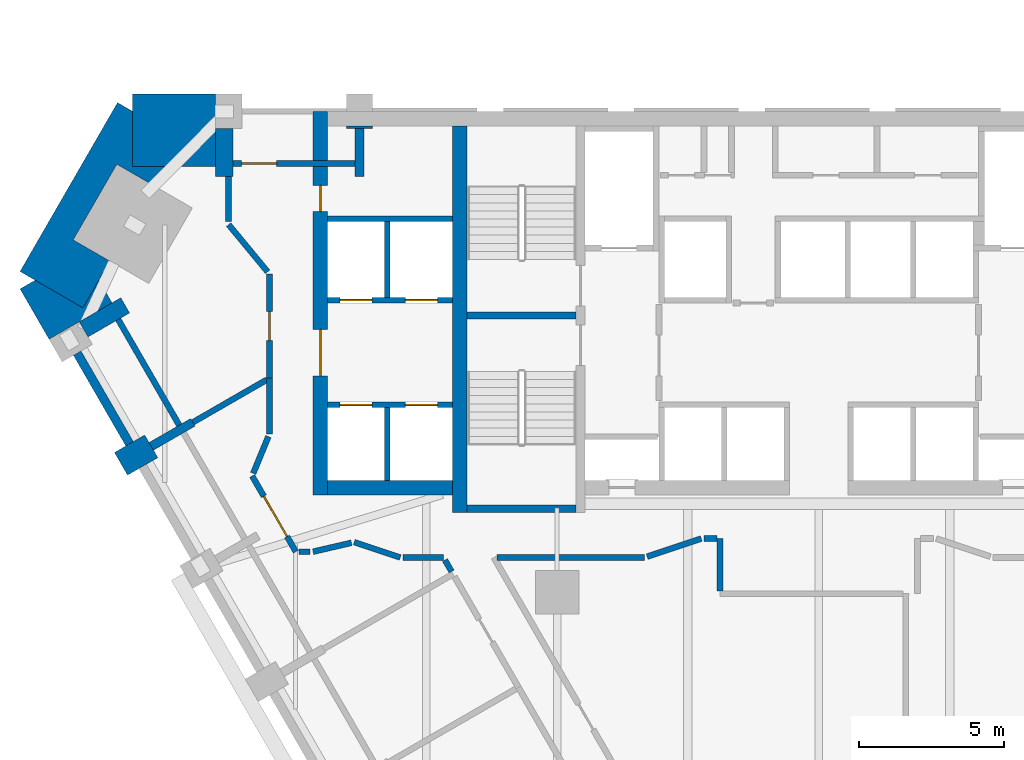
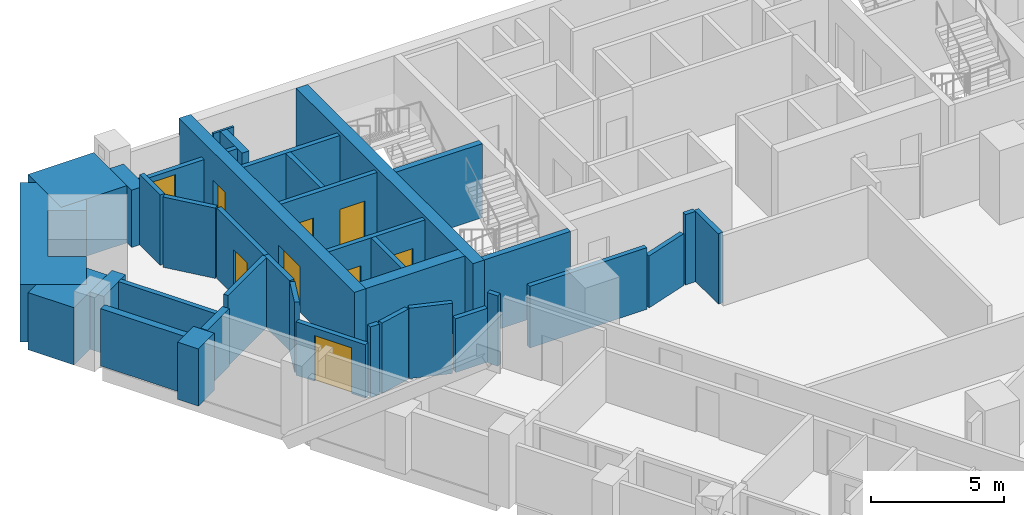
# One storey, part 6 of 11: 38 walls, 9 doors, 9 openings.
"""IFC4 building model written with IfcOpenShell, lengths in metres."""

from ifc_helpers import new_model, si_unit, direction, frame, frame_2d, origin, place, context, subcontext, project, spatial, polyline, rectangle, outline, extrude, material, layer, layer_set, type_object, element, fill, save


model = new_model("IFC4")

# Units and contexts
model_context = context("Model", 3, precision=1e-05, world=origin(), true_north=direction((0.0, 1.0)))
body_context = subcontext(model_context, "Body", "Model", "MODEL_VIEW")
ifc_project = project(units=[si_unit("LENGTHUNIT", "METRE"), si_unit("AREAUNIT", "SQUARE_METRE"), si_unit("VOLUMEUNIT", "CUBIC_METRE"), si_unit("PLANEANGLEUNIT", "RADIAN"), si_unit("MASSUNIT", "GRAM", prefix="KILO")], contexts=[model_context])

# Site, building, storey
site_placement = place(None, origin())
site = spatial("IfcSite", under=ifc_project, at=site_placement, CompositionType="ELEMENT")
building_placement = place(site_placement, origin())
building = spatial("IfcBuilding", under=site, at=building_placement, Name="Calabash Gate Tower", CompositionType="ELEMENT")
storey_placement = place(building_placement, frame((0.0, 0.0, 98.60009765625)))
storey = spatial("IfcBuildingStorey", under=building, at=storey_placement, Name="L21", CompositionType="ELEMENT", Elevation=98.60009765625)

# Walls
ifc_material_1 = material(Name="Terracotta brick masonry, exposed face", Category="masonry")
ifc_layer_1 = layer(ifc_material_1, 2.5)
ifc_layer_set_1 = layer_set([ifc_layer_1], Name="Brick corner mass wall 2500")
wall_type_1 = type_object("IfcWallType", Name="Brick corner mass wall 2500", PredefinedType="SOLIDWALL", material=ifc_layer_set_1)
wall_1_placement = place(storey_placement, origin())
element("IfcWall", 1, at=wall_1_placement, inside=storey, type_object=wall_type_1, Name="Brick corner pier S05 3a", PredefinedType="SOLIDWALL", context=body_context, shape_type="SweptSolid", body=[
    extrude(outline(polyline([(-23.610107421875, 17.152587890625), (-20.755126953125, 17.152587890625), (-20.755126953125, 19.652587890625), (-23.610107421875, 19.652587890625), (-23.610107421875, 17.152587890625)])), origin(), (0.0, 0.0, 1.0), 2.6298828125),
])
wall_2_placement = place(storey_placement, origin())
element("IfcWall", 2, at=wall_2_placement, inside=storey, type_object=wall_type_1, Name="Brick corner pier S05 3b", PredefinedType="SOLIDWALL", context=body_context, shape_type="SweptSolid", body=[
    extrude(outline(polyline([(-22.89111328125, 16.498046875), (-22.51318359375, 17.152587890625), (-23.610107421875, 17.152587890625), (-23.610107421875, 19.052490234375), (-24.1298828125, 19.3525390625), (-27.485107421875, 13.540771484375), (-25.320068359375, 12.290771484375), (-24.39111328125, 13.89990234375), (-25.652099609375, 14.6279296875), (-24.152099609375, 17.22607421875), (-22.89111328125, 16.498046875)])), origin(), (0.0, 0.0, 1.0), 2.6298828125),
])
wall_3_placement = place(storey_placement, origin())
element("IfcWall", 3, at=wall_3_placement, inside=storey, type_object=wall_type_1, Name="Brick corner pier S05 3c", PredefinedType="SOLIDWALL", context=body_context, shape_type="SweptSolid", body=[
    extrude(outline(polyline([(-24.771728515625, 13.240966796875), (-25.320068359375, 12.290771484375), (-26.965576171875, 13.240966796875), (-27.485107421875, 12.94091796875), (-26.4853515625, 11.208984375), (-24.3203125, 12.458984375), (-24.771728515625, 13.240966796875)])), origin(), (0.0, 0.0, 1.0), 2.6298828125),
])
ifc_material_2 = material(Name="Terracotta brick masonry, exposed face", Category="masonry")
ifc_layer_2 = layer(ifc_material_2, 1.199951171875)
ifc_layer_set_2 = layer_set([ifc_layer_2], Name="Brick end wall 1200")
wall_type_2 = type_object("IfcWallType", Name="Brick end wall 1200", PredefinedType="SOLIDWALL", material=ifc_layer_set_2)
wall_4_placement = place(storey_placement, frame((-24.01025390625, 6.922119140625, 0.0), z_axis=(0.0, 0.0, 1.0), x_axis=(0.865955154139, 0.50012165622, 0.0)))
element("IfcWall", 4, at=wall_4_placement, inside=storey, type_object=wall_type_2, Name="Brick pier S05 SW0.1", PredefinedType="SOLIDWALL", context=body_context, shape_type="SweptSolid", body=[
    extrude(rectangle(XDim=1.199951171875, YDim=0.89990234375, at=frame_2d((0.60009765625, 0.0))), origin(), (0.0, 0.0, 1.0), 2.6298828125),
])
wall_5_placement = place(storey_placement, origin())
element("IfcWall", 5, at=wall_5_placement, inside=storey, type_object=wall_type_2, Name="Brick pier S05 N6.7b", PredefinedType="SOLIDWALL", context=body_context, shape_type="SweptSolid", body=[
    extrude(outline(polyline([(-15.35498046875, 18.45263671875), (-15.35498046875, 18.552490234375), (-16.255126953125, 18.552490234375), (-16.255126953125, 18.45263671875), (-15.35498046875, 18.45263671875)])), origin(), (0.0, 0.0, 1.0), 2.64990234375),
])
ifc_material_3 = material(Name="Terracotta brick masonry, exposed face", Category="masonry")
ifc_layer_3 = layer(ifc_material_3, 0.300048828125)
ifc_layer_set_3 = layer_set([ifc_layer_3], Name="Brick infill panel wall 300")
wall_type_3 = type_object("IfcWallType", Name="Brick infill panel wall 300", PredefinedType="SOLIDWALL", material=ifc_layer_set_3)
wall_6_placement = place(storey_placement, frame((-25.515625, 10.729736328125, 0.0), z_axis=(0.0, 0.0, 1.0), x_axis=(0.499961193289, -0.866047807691, 0.0)))
element("IfcWall", 6, at=wall_6_placement, inside=storey, type_object=wall_type_3, Name="Brick panel S05 SW0.1", PredefinedType="SOLIDWALL", context=body_context, shape_type="SweptSolid", body=[
    extrude(rectangle(XDim=3.599853515625, YDim=0.300048828125, at=frame_2d((1.7998046875, 0.0))), origin(), (0.0, 0.0, 1.0), 2.6298828125),
])
ifc_material_4 = material(Name="Terracotta brick masonry, exposed face", Category="masonry")
ifc_layer_4 = layer(ifc_material_4, 0.300048828125)
ifc_layer_set_4 = layer_set([ifc_layer_4], Name="Brick loggia cheek wall 300")
wall_type_4 = type_object("IfcWallType", Name="Brick loggia cheek wall 300", PredefinedType="SOLIDWALL", material=ifc_layer_set_4)
wall_7_placement = place(storey_placement, frame((-25.296142578125, 11.54931640625, 0.0), z_axis=(0.0, 0.0, 1.0), x_axis=(0.866040211805, 0.499974350878, 0.0)))
element("IfcWall", 7, at=wall_7_placement, inside=storey, type_object=wall_type_4, Name="Loggia cheek S05 SW0.0", PredefinedType="SOLIDWALL", context=body_context, shape_type="SweptSolid", body=[
    extrude(rectangle(XDim=1.64990234375, YDim=0.60009765625, at=frame_2d((0.824951171875, 0.0))), origin(), (0.0, 0.0, 1.0), 2.6298828125),
])
wall_8_placement = place(storey_placement, frame((-22.97119140625, 7.522216796875, 0.0), z_axis=(0.0, 0.0, 1.0), x_axis=(0.866040211805, 0.499974350878, 0.0)))
element("IfcWall", 8, at=wall_8_placement, inside=storey, type_object=wall_type_4, Name="Loggia cheek S05 SW0.1", PredefinedType="SOLIDWALL", context=body_context, shape_type="SweptSolid", body=[
    extrude(rectangle(XDim=1.64990234375, YDim=0.300048828125, at=frame_2d((0.824951171875, 0.0))), origin(), (0.0, 0.0, 1.0), 2.64990234375),
])
wall_9_placement = place(storey_placement, origin())
element("IfcWall", 9, at=wall_9_placement, inside=storey, type_object=wall_type_4, Name="Loggia cheek S05 N6.7", PredefinedType="SOLIDWALL", context=body_context, shape_type="SweptSolid", body=[
    extrude(outline(polyline([(-15.655029296875, 16.802490234375), (-15.655029296875, 18.45263671875), (-15.955078125, 18.45263671875), (-15.955078125, 16.802490234375), (-15.655029296875, 16.802490234375)])), origin(), (0.0, 0.0, 1.0), 2.64990234375),
])
wall_10_placement = place(storey_placement, origin())
element("IfcWall", 10, at=wall_10_placement, inside=storey, type_object=wall_type_4, Name="Loggia cheek S05 N6.8", PredefinedType="SOLIDWALL", context=body_context, shape_type="SweptSolid", body=[
    extrude(outline(polyline([(-20.755126953125, 18.45263671875), (-20.755126953125, 16.802490234375), (-20.155029296875, 16.802490234375), (-20.155029296875, 18.45263671875), (-20.755126953125, 18.45263671875)])), origin(), (0.0, 0.0, 1.0), 2.6298828125),
])
ifc_material_5 = material(Name="Concrete C80/95", Category="concrete")
ifc_layer_5 = layer(ifc_material_5, 0.25)
ifc_layer_set_5 = layer_set([ifc_layer_5], Name="Core wall 250 Concrete C80/95")
wall_type_5 = type_object("IfcWallType", Name="Core wall 250 Concrete C80/95", PredefinedType="SHEAR", material=ifc_layer_set_5)
for number, where, z_axis, x_axis, name in (
    (11, (-12.10009765625, 12.027587890625, 0.0), (0.0, 0.0, 1.0), (1.0, 0.0, 0.0), "Core wall Z2-MIDW L21"),
    (12, (-12.10009765625, 5.377685546875, 0.0), (0.0, 0.0, 1.0), (1.0, 0.0, 0.0), "Core wall Z2-SSW L21"),
):
    element("IfcWall", number, at=place(storey_placement, frame(where, z_axis=z_axis, x_axis=x_axis)), inside=storey, type_object=wall_type_5, Name=name, PredefinedType="SHEAR", context=body_context, shape_type="SweptSolid", body=[
        extrude(rectangle(XDim=3.75, YDim=0.25, at=frame_2d((1.875, 0.0))), origin(), (0.0, 0.0, 1.0), 3.39990234375),
    ])
ifc_material_6 = material(Name="Concrete C80/95", Category="concrete")
ifc_layer_6 = layer(ifc_material_6, 0.5)
ifc_layer_set_6 = layer_set([ifc_layer_6], Name="Core wall 500 Concrete C80/95")
wall_type_6 = type_object("IfcWallType", Name="Core wall 500 Concrete C80/95", PredefinedType="SHEAR", material=ifc_layer_set_6)
wall_11_placement = place(storey_placement, frame((-12.35009765625, 5.252685546875, 0.0), z_axis=(0.0, 0.0, 1.0), x_axis=(0.0, 1.0, 0.0)))
element("IfcWall", 13, at=wall_11_placement, inside=storey, type_object=wall_type_6, Name="Core wall Z2-COLW L21", PredefinedType="SHEAR", context=body_context, shape_type="SweptSolid", body=[
    extrude(rectangle(XDim=13.2998046875, YDim=0.5, at=frame_2d((6.64990234375, 0.0))), origin(), (0.0, 0.0, 1.0), 3.39990234375),
])
wall_12_placement = place(storey_placement, frame((-12.60009765625, 6.1025390625, 0.0), z_axis=(0.0, 0.0, 1.0), x_axis=(-1.0, 0.0, 0.0)))
element("IfcWall", 14, at=wall_12_placement, inside=storey, type_object=wall_type_6, Name="Core wall Z2-SW L21", PredefinedType="SHEAR", context=body_context, shape_type="SweptSolid", body=[
    extrude(rectangle(XDim=4.2998046875, YDim=0.5, at=frame_2d((2.14990234375, 0.0))), origin(), (0.0, 0.0, 1.0), 3.39990234375),
])

# Wall, openings, doors
wall_13_placement = place(storey_placement, frame((-17.14990234375, 5.8525390625, 0.0), z_axis=(0.0, 0.0, 1.0), x_axis=(0.0, 1.0, 0.0)))
wall_13 = element("IfcWall", 15, at=wall_13_placement, inside=storey, type_object=wall_type_6, Name="Core wall Z2-ENDW L21", PredefinedType="SHEAR", context=body_context, shape_type="SweptSolid", body=[
    extrude(rectangle(XDim=13.199951171875, YDim=0.5, at=frame_2d((6.60009765625, 0.0))), origin(), (0.0, 0.0, 1.0), 3.39990234375),
])
opening_1_placement = place(wall_13_placement, frame((4.10009765625, 0.0, 0.0)))
opening_1 = element("IfcOpeningElement", 16, at=opening_1_placement, cuts=wall_13, Name="Opening H5-003", PredefinedType="OPENING", context=body_context, shape_type="SweptSolid", body=[
    extrude(rectangle(XDim=1.60009765625, YDim=2.10009765625, at=frame_2d((0.800048828125, 1.050048828125))), frame((0.0, 0.260009765625, 0.0), z_axis=(0.0, -1.0, 0.0), x_axis=(1.0, 0.0, 0.0)), (0.0, 0.0, 1.0), 0.52001953125),
])
opening_2_placement = place(wall_13_placement, frame((9.75, 0.0, 0.0)))
opening_2 = element("IfcOpeningElement", 17, at=opening_2_placement, cuts=wall_13, Name="Opening H5-004", PredefinedType="OPENING", context=body_context, shape_type="SweptSolid", body=[
    extrude(rectangle(XDim=0.89990234375, YDim=2.10009765625, at=frame_2d((0.449951171875, 1.050048828125))), frame((0.0, 0.260009765625, 0.0), z_axis=(0.0, -1.0, 0.0), x_axis=(1.0, 0.0, 0.0)), (0.0, 0.0, 1.0), 0.52001953125),
])
ifc_material_7 = material(Name="Steel fire door set with fire-resisting glazing", Category="steel")
door_type_1 = type_object("IfcDoorType", Name="Double fire door D08 1600x2100 FD60", OperationType="DOUBLE_DOOR_SINGLE_SWING", PredefinedType="DOOR", material=ifc_material_7)
door_1_placement = place(opening_1_placement, origin())
door_1 = element("IfcDoor", 18, at=door_1_placement, inside=storey, type_object=door_type_1, Name="Low-rise Lift Lobby W door", OperationType="DOUBLE_DOOR_SINGLE_SWING", OverallHeight=2.10009765625, OverallWidth=1.60009765625, PredefinedType="DOOR", context=body_context, shape_type="SweptSolid", body=[
    extrude(rectangle(XDim=1.60009765625, YDim=2.10009765625, at=frame_2d((0.800048828125, 1.050048828125))), frame((0.0, 0.02490234375, 0.0), z_axis=(0.0, -1.0, 0.0), x_axis=(1.0, 0.0, 0.0)), (0.0, 0.0, 1.0), 0.050048828125),
])
fill(opening_1, door_1)
ifc_material_8 = material(Name="Steel fire door set with fire-resisting glazing", Category="steel")
door_type_2 = type_object("IfcDoorType", Name="Fire door D06 900x2100 FD60", OperationType="NOTDEFINED", PredefinedType="DOOR", material=ifc_material_8)
door_2_placement = place(opening_2_placement, origin())
door_2 = element("IfcDoor", 19, at=door_2_placement, inside=storey, type_object=door_type_2, Name="Linen Store door", OperationType="SINGLE_SWING_RIGHT", OverallHeight=2.10009765625, OverallWidth=0.89990234375, PredefinedType="DOOR", context=body_context, shape_type="SweptSolid", body=[
    extrude(rectangle(XDim=0.89990234375, YDim=2.10009765625, at=frame_2d((0.449951171875, 1.050048828125))), frame((0.0, 0.02490234375, 0.0), z_axis=(0.0, -1.0, 0.0), x_axis=(1.0, 0.0, 0.0)), (0.0, 0.0, 1.0), 0.050048828125),
])
fill(opening_2, door_2)

# Walls
ifc_material_9 = material(Name="Gypsum board on steel studs, mineral wool", Category="steel")
ifc_layer_7 = layer(ifc_material_9, 0.199951171875)
ifc_layer_set_7 = layer_set([ifc_layer_7], Name="Partition 200 gypsum board EI 60")
wall_type_7 = type_object("IfcWallType", Name="Partition 200 gypsum board EI 60", PredefinedType="PARTITIONING", material=ifc_layer_set_7)
wall_14_placement = place(storey_placement, frame((-3.402099609375, 4.3505859375, 0.0), z_axis=(0.0, 0.0, 1.0), x_axis=(0.001086217961, -0.999999410065, 0.0)))
element("IfcWall", 20, at=wall_14_placement, inside=storey, type_object=wall_type_7, Name="Partition", PredefinedType="PARTITIONING", context=body_context, shape_type="SweptSolid", body=[
    extrude(rectangle(XDim=1.798095703125, YDim=0.199951171875, at=frame_2d((0.89892578125, 0.0))), origin(), (0.0, 0.0, 1.0), 3.22998046875),
])
wall_15_placement = place(storey_placement, frame((-12.86279296875, 3.61279296875, 0.0), z_axis=(0.0, 0.0, 1.0), x_axis=(0.49808198686, -0.867129940877, 0.0)))
element("IfcWall", 21, at=wall_15_placement, inside=storey, type_object=wall_type_7, Name="Partition", PredefinedType="PARTITIONING", context=body_context, shape_type="SweptSolid", body=[
    extrude(rectangle(XDim=0.459716796875, YDim=0.199951171875, at=frame_2d((0.22998046875, 0.0))), origin(), (0.0, 0.0, 1.0), 3.22998046875),
])
wall_16_placement = place(storey_placement, frame((-15.98291015625, 4.22705078125, 0.0), z_axis=(0.0, 0.0, 1.0), x_axis=(0.948683298051, -0.316227766017, 0.0)))
element("IfcWall", 22, at=wall_16_placement, inside=storey, type_object=wall_type_7, Name="Partition", PredefinedType="PARTITIONING", context=body_context, shape_type="SweptSolid", body=[
    extrude(rectangle(XDim=1.66845703125, YDim=0.199951171875, at=frame_2d((0.834228515625, 0.0))), origin(), (0.0, 0.0, 1.0), 3.22998046875),
])
wall_17_placement = place(storey_placement, frame((-14.300048828125, 3.699462890625, 0.0), z_axis=(0.0, 0.0, 1.0), x_axis=(1.0, 0.0, 0.0)))
element("IfcWall", 23, at=wall_17_placement, inside=storey, type_object=wall_type_7, Name="Partition", PredefinedType="PARTITIONING", context=body_context, shape_type="SweptSolid", body=[
    extrude(rectangle(XDim=1.387451171875, YDim=0.199951171875, at=frame_2d((0.69384765625, 0.0))), origin(), (0.0, 0.0, 1.0), 2.473388671875),
])
wall_18_placement = place(storey_placement, frame((-11.080078125, 3.69970703125, 0.0), z_axis=(0.0, 0.0, 1.0), x_axis=(1.0, 0.0, 0.0)))
element("IfcWall", 24, at=wall_18_placement, inside=storey, type_object=wall_type_7, Name="Partition", PredefinedType="PARTITIONING", context=body_context, shape_type="SweptSolid", body=[
    extrude(rectangle(XDim=5.080078125, YDim=0.199951171875, at=frame_2d((2.5400390625, 0.0))), origin(), (0.0, 0.0, 1.0), 2.83154296875),
])

# Wall, opening, door
wall_19_placement = place(storey_placement, frame((-19.496826171875, 6.504150390625, 0.0), z_axis=(0.0, 0.0, 1.0), x_axis=(0.499928597019, -0.86606662439, 0.0)))
wall_19 = element("IfcWall", 25, at=wall_19_placement, inside=storey, type_object=wall_type_7, Name="Partition", PredefinedType="PARTITIONING", context=body_context, shape_type="SweptSolid", body=[
    extrude(rectangle(XDim=3.00732421875, YDim=0.199951171875, at=frame_2d((1.503662109375, 0.0))), origin(), (0.0, 0.0, 1.0), 2.449951171875),
])
opening_3_placement = place(wall_19_placement, frame((0.8037109375, 0.0, 0.0)))
opening_3 = element("IfcOpeningElement", 26, at=opening_3_placement, cuts=wall_19, Name="Opening 19-21-021", PredefinedType="OPENING", context=body_context, shape_type="SweptSolid", body=[
    extrude(rectangle(XDim=1.60009765625, YDim=2.10009765625, at=frame_2d((0.800048828125, 1.050048828125))), frame((0.0, 0.10986328125, 0.0), z_axis=(0.0, -1.0, 0.0), x_axis=(1.0, 0.0, 0.0)), (0.0, 0.0, 1.0), 0.219970703125),
])
ifc_material_10 = material(Name="Steel fire door set with fire-resisting glazing", Category="steel")
door_type_3 = type_object("IfcDoorType", Name="LD1 Lounge double door 1600x2100", OperationType="NOTDEFINED", PredefinedType="DOOR", material=ifc_material_10)
door_3_placement = place(opening_3_placement, origin())
door_3 = element("IfcDoor", 27, at=door_3_placement, inside=storey, type_object=door_type_3, Name="Lounge double door", OperationType="DOUBLE_DOOR_SINGLE_SWING", OverallHeight=2.10009765625, OverallWidth=1.60009765625, PredefinedType="DOOR", context=body_context, shape_type="SweptSolid", body=[
    extrude(rectangle(XDim=1.60009765625, YDim=2.10009765625, at=frame_2d((0.800048828125, 1.050048828125))), frame((0.0, 0.02490234375, 0.0), z_axis=(0.0, -1.0, 0.0), x_axis=(1.0, 0.0, 0.0)), (0.0, 0.0, 1.0), 0.050048828125),
])
fill(opening_3, door_3)

# Walls
wall_20_placement = place(storey_placement, frame((-17.893310546875, 3.8994140625, 0.0), z_axis=(0.0, 0.0, 1.0), x_axis=(1.0, 0.0, 0.0)))
element("IfcWall", 28, at=wall_20_placement, inside=storey, type_object=wall_type_7, Name="Partition", PredefinedType="PARTITIONING", context=body_context, shape_type="SweptSolid", body=[
    extrude(rectangle(XDim=0.393310546875, YDim=0.199951171875, at=frame_2d((0.19677734375, 0.0))), origin(), (0.0, 0.0, 1.0), 3.22998046875),
])
wall_21_placement = place(storey_placement, frame((-17.39990234375, 3.8994140625, 0.0), z_axis=(0.0, 0.0, 1.0), x_axis=(0.974284755848, 0.225320248808, 0.0)))
element("IfcWall", 29, at=wall_21_placement, inside=storey, type_object=wall_type_7, Name="Partition", PredefinedType="PARTITIONING", context=body_context, shape_type="SweptSolid", body=[
    extrude(rectangle(XDim=1.3544921875, YDim=0.199951171875, at=frame_2d((0.67724609375, 0.0))), origin(), (0.0, 0.0, 1.0), 3.22998046875),
])
wall_22_placement = place(storey_placement, frame((-5.905029296875, 3.7314453125, 0.0), z_axis=(0.0, 0.0, 1.0), x_axis=(0.948695731075, 0.316190464499, 0.0)))
element("IfcWall", 30, at=wall_22_placement, inside=storey, type_object=wall_type_7, Name="Partition", PredefinedType="PARTITIONING", context=body_context, shape_type="SweptSolid", body=[
    extrude(rectangle(XDim=1.963623046875, YDim=0.199951171875, at=frame_2d((0.98193359375, 0.0))), origin(), (0.0, 0.0, 1.0), 2.384033203125),
])
wall_23_placement = place(storey_placement, frame((-3.9423828125, 4.35205078125, 0.0), z_axis=(0.0, 0.0, 1.0), x_axis=(0.999996159087, -0.00277160798, 0.0)))
element("IfcWall", 31, at=wall_23_placement, inside=storey, type_object=wall_type_7, Name="Partition", PredefinedType="PARTITIONING", context=body_context, shape_type="SweptSolid", body=[
    extrude(rectangle(XDim=0.4404296875, YDim=0.199951171875, at=frame_2d((0.22021484375, 0.0))), origin(), (0.0, 0.0, 1.0), 3.22998046875),
])
wall_24_placement = place(storey_placement, frame((-19.458984375, 6.5966796875, 0.0), z_axis=(0.0, 0.0, 1.0), x_axis=(0.380767778943, 0.92467069734, 0.0)))
element("IfcWall", 32, at=wall_24_placement, inside=storey, type_object=wall_type_7, Name="Partition", PredefinedType="PARTITIONING", context=body_context, shape_type="SweptSolid", body=[
    extrude(rectangle(XDim=1.366455078125, YDim=0.199951171875, at=frame_2d((0.68310546875, 0.0))), origin(), (0.0, 0.0, 1.0), 3.22998046875),
])
wall_25_placement = place(storey_placement, frame((-18.902099609375, 9.871337890625, 0.0), z_axis=(0.0, 0.0, 1.0), x_axis=(0.000890698209, -0.999999603328, 0.0)))
element("IfcWall", 33, at=wall_25_placement, inside=storey, type_object=wall_type_7, Name="Partition", PredefinedType="PARTITIONING", context=body_context, shape_type="SweptSolid", body=[
    extrude(rectangle(XDim=1.918701171875, YDim=0.199951171875, at=frame_2d((0.95947265625, 0.0))), origin(), (0.0, 0.0, 1.0), 3.22998046875),
])
wall_26_placement = place(storey_placement, frame((-21.5419921875, 8.34716796875, 0.0), z_axis=(0.0, 0.0, 1.0), x_axis=(0.866346792864, 0.499442924161, 0.0)))
element("IfcWall", 34, at=wall_26_placement, inside=storey, type_object=wall_type_7, Name="Partition", PredefinedType="PARTITIONING", context=body_context, shape_type="SweptSolid", body=[
    extrude(rectangle(XDim=2.948974609375, YDim=0.199951171875, at=frame_2d((1.474609375, 0.0))), origin(), (0.0, 0.0, 1.0), 3.22998046875),
])

# Wall, opening, door
wall_27_placement = place(storey_placement, frame((-18.902099609375, 9.87158203125, 0.0), z_axis=(0.0, 0.0, 1.0), x_axis=(0.000477261826, 0.999999886111, 0.0)))
wall_27 = element("IfcWall", 35, at=wall_27_placement, inside=storey, type_object=wall_type_7, Name="Partition", PredefinedType="PARTITIONING", context=body_context, shape_type="SweptSolid", body=[
    extrude(rectangle(XDim=3.580810546875, YDim=0.199951171875, at=frame_2d((1.79052734375, 0.0))), origin(), (0.0, 0.0, 1.0), 3.22998046875),
])
opening_4_placement = place(wall_27_placement, frame((1.291015625, 0.0, 0.0)))
opening_4 = element("IfcOpeningElement", 36, at=opening_4_placement, cuts=wall_27, Name="Opening 19-21-020", PredefinedType="OPENING", context=body_context, shape_type="SweptSolid", body=[
    extrude(rectangle(XDim=1.0, YDim=2.10009765625, at=frame_2d((0.5, 1.050048828125))), frame((0.0, 0.10986328125, 0.0), z_axis=(0.0, -1.0, 0.0), x_axis=(1.0, 0.0, 0.0)), (0.0, 0.0, 1.0), 0.219970703125),
])
ifc_material_11 = material(Name="Steel fire door set with fire-resisting glazing", Category="steel")
door_type_4 = type_object("IfcDoorType", Name="LD2 Meeting room door 1000x2100", OperationType="NOTDEFINED", PredefinedType="DOOR", material=ifc_material_11)
door_4_placement = place(opening_4_placement, origin())
door_4 = element("IfcDoor", 37, at=door_4_placement, inside=storey, type_object=door_type_4, Name="Meeting room door", OperationType="SINGLE_SWING_RIGHT", OverallHeight=2.10009765625, OverallWidth=1.0, PredefinedType="DOOR", context=body_context, shape_type="SweptSolid", body=[
    extrude(rectangle(XDim=1.0, YDim=2.10009765625, at=frame_2d((0.5, 1.050048828125))), frame((0.0, 0.02490234375, 0.0), z_axis=(0.0, -1.0, 0.0), x_axis=(1.0, 0.0, 0.0)), (0.0, 0.0, 1.0), 0.050048828125),
])
fill(opening_4, door_4)

# Walls
wall_28_placement = place(storey_placement, frame((-20.3056640625, 15.15234375, 0.0), z_axis=(0.0, 0.0, 1.0), x_axis=(0.637157085783, -0.770733967097, 0.0)))
element("IfcWall", 38, at=wall_28_placement, inside=storey, type_object=wall_type_7, Name="Partition", PredefinedType="PARTITIONING", context=body_context, shape_type="SweptSolid", body=[
    extrude(rectangle(XDim=2.10546875, YDim=0.199951171875, at=frame_2d((1.052734375, 0.0))), origin(), (0.0, 0.0, 1.0), 3.22998046875),
])
wall_29_placement = place(storey_placement, frame((-20.3056640625, 16.802490234375, 0.0), z_axis=(0.0, 0.0, 1.0), x_axis=(0.0, -1.0, 0.0)))
element("IfcWall", 39, at=wall_29_placement, inside=storey, type_object=wall_type_7, Name="Partition", PredefinedType="PARTITIONING", context=body_context, shape_type="SweptSolid", body=[
    extrude(rectangle(XDim=1.550048828125, YDim=0.199951171875, at=frame_2d((0.77490234375, 0.0))), origin(), (0.0, 0.0, 1.0), 3.22998046875),
])
ifc_material_12 = material(Name="Concrete C40/50", Category="concrete")
ifc_layer_8 = layer(ifc_material_12, 0.199951171875)
ifc_layer_set_8 = layer_set([ifc_layer_8], Name="Shaft wall 200 Concrete C40/50")
wall_type_8 = type_object("IfcWallType", Name="Shaft wall 200 Concrete C40/50", PredefinedType="SOLIDWALL", material=ifc_layer_set_8)
wall_30_placement = place(storey_placement, frame((-14.85009765625, 6.3525390625, 0.0), z_axis=(0.0, 0.0, 1.0), x_axis=(0.0, 1.0, 0.0)))
element("IfcWall", 40, at=wall_30_placement, inside=storey, type_object=wall_type_8, Name="Shaft wall", PredefinedType="SOLIDWALL", context=body_context, shape_type="SweptSolid", body=[
    extrude(rectangle(XDim=2.5, YDim=0.199951171875, at=frame_2d((1.25, 0.0))), origin(), (0.0, 0.0, 1.0), 3.22998046875),
])

# Wall, openings, doors
wall_31_placement = place(storey_placement, frame((-16.89990234375, 8.95263671875, 0.0), z_axis=(0.0, 0.0, 1.0), x_axis=(1.0, 0.0, 0.0)))
wall_31 = element("IfcWall", 41, at=wall_31_placement, inside=storey, type_object=wall_type_8, Name="Shaft wall", PredefinedType="SOLIDWALL", context=body_context, shape_type="SweptSolid", body=[
    extrude(rectangle(XDim=4.2998046875, YDim=0.199951171875, at=frame_2d((2.14990234375, 0.0))), origin(), (0.0, 0.0, 1.0), 3.22998046875),
])
opening_5_placement = place(wall_31_placement, frame((2.675048828125, 0.0, 0.0)))
opening_5 = element("IfcOpeningElement", 42, at=opening_5_placement, cuts=wall_31, Name="Opening LD-LR1", PredefinedType="OPENING", context=body_context, shape_type="SweptSolid", body=[
    extrude(rectangle(XDim=1.10009765625, YDim=2.10009765625, at=frame_2d((0.550048828125, 1.050048828125))), frame((0.0, 0.10986328125, 0.0), z_axis=(0.0, -1.0, 0.0), x_axis=(1.0, 0.0, 0.0)), (0.0, 0.0, 1.0), 0.219970703125),
])
opening_6_placement = place(wall_31_placement, frame((0.425048828125, 0.0, 0.0)))
opening_6 = element("IfcOpeningElement", 43, at=opening_6_placement, cuts=wall_31, Name="Opening LD-LR2", PredefinedType="OPENING", context=body_context, shape_type="SweptSolid", body=[
    extrude(rectangle(XDim=1.10009765625, YDim=2.10009765625, at=frame_2d((0.550048828125, 1.050048828125))), frame((0.0, 0.10986328125, 0.0), z_axis=(0.0, -1.0, 0.0), x_axis=(1.0, 0.0, 0.0)), (0.0, 0.0, 1.0), 0.219970703125),
])
ifc_material_13 = material(Name="Stainless steel sliding door leaves", Category="steel")
door_type_5 = type_object("IfcDoorType", Name="Lift landing door LS1 1100x2100 FD90", OperationType="DOUBLE_DOOR_SLIDING", PredefinedType="DOOR", material=ifc_material_13)
door_5_placement = place(opening_5_placement, origin())
door_5 = element("IfcDoor", 44, at=door_5_placement, inside=storey, type_object=door_type_5, Name="Lift landing door LR1", OperationType="DOUBLE_DOOR_SLIDING", OverallHeight=2.10009765625, OverallWidth=1.10009765625, PredefinedType="DOOR", context=body_context, shape_type="SweptSolid", body=[
    extrude(rectangle(XDim=1.10009765625, YDim=2.10009765625, at=frame_2d((0.550048828125, 1.050048828125))), frame((0.0, 0.02490234375, 0.0), z_axis=(0.0, -1.0, 0.0), x_axis=(1.0, 0.0, 0.0)), (0.0, 0.0, 1.0), 0.050048828125),
])
fill(opening_5, door_5)
door_6_placement = place(opening_6_placement, origin())
door_6 = element("IfcDoor", 45, at=door_6_placement, inside=storey, type_object=door_type_5, Name="Lift landing door LR2", OperationType="DOUBLE_DOOR_SLIDING", OverallHeight=2.10009765625, OverallWidth=1.10009765625, PredefinedType="DOOR", context=body_context, shape_type="SweptSolid", body=[
    extrude(rectangle(XDim=1.10009765625, YDim=2.10009765625, at=frame_2d((0.550048828125, 1.050048828125))), frame((0.0, 0.02490234375, 0.0), z_axis=(0.0, -1.0, 0.0), x_axis=(1.0, 0.0, 0.0)), (0.0, 0.0, 1.0), 0.050048828125),
])
fill(opening_6, door_6)

wall_32_placement = place(storey_placement, frame((-16.89990234375, 12.552490234375, 0.0), z_axis=(0.0, 0.0, 1.0), x_axis=(1.0, 0.0, 0.0)))
wall_32 = element("IfcWall", 46, at=wall_32_placement, inside=storey, type_object=wall_type_8, Name="Shaft wall", PredefinedType="SOLIDWALL", context=body_context, shape_type="SweptSolid", body=[
    extrude(rectangle(XDim=4.2998046875, YDim=0.199951171875, at=frame_2d((2.14990234375, 0.0))), origin(), (0.0, 0.0, 1.0), 3.22998046875),
])
opening_7_placement = place(wall_32_placement, frame((2.675048828125, 0.0, 0.0)))
opening_7 = element("IfcOpeningElement", 47, at=opening_7_placement, cuts=wall_32, Name="Opening LD-LR3", PredefinedType="OPENING", context=body_context, shape_type="SweptSolid", body=[
    extrude(rectangle(XDim=1.10009765625, YDim=2.10009765625, at=frame_2d((0.550048828125, 1.050048828125))), frame((0.0, 0.10986328125, 0.0), z_axis=(0.0, -1.0, 0.0), x_axis=(1.0, 0.0, 0.0)), (0.0, 0.0, 1.0), 0.219970703125),
])
opening_8_placement = place(wall_32_placement, frame((0.425048828125, 0.0, 0.0)))
opening_8 = element("IfcOpeningElement", 48, at=opening_8_placement, cuts=wall_32, Name="Opening LD-LR4", PredefinedType="OPENING", context=body_context, shape_type="SweptSolid", body=[
    extrude(rectangle(XDim=1.10009765625, YDim=2.10009765625, at=frame_2d((0.550048828125, 1.050048828125))), frame((0.0, 0.10986328125, 0.0), z_axis=(0.0, -1.0, 0.0), x_axis=(1.0, 0.0, 0.0)), (0.0, 0.0, 1.0), 0.219970703125),
])
door_7_placement = place(opening_7_placement, origin())
door_7 = element("IfcDoor", 49, at=door_7_placement, inside=storey, type_object=door_type_5, Name="Lift landing door LR3", OperationType="DOUBLE_DOOR_SLIDING", OverallHeight=2.10009765625, OverallWidth=1.10009765625, PredefinedType="DOOR", context=body_context, shape_type="SweptSolid", body=[
    extrude(rectangle(XDim=1.10009765625, YDim=2.10009765625, at=frame_2d((0.550048828125, 1.050048828125))), frame((0.0, 0.02490234375, 0.0), z_axis=(0.0, -1.0, 0.0), x_axis=(1.0, 0.0, 0.0)), (0.0, 0.0, 1.0), 0.050048828125),
])
fill(opening_7, door_7)
door_8_placement = place(opening_8_placement, origin())
door_8 = element("IfcDoor", 50, at=door_8_placement, inside=storey, type_object=door_type_5, Name="Lift landing door LR4", OperationType="DOUBLE_DOOR_SLIDING", OverallHeight=2.10009765625, OverallWidth=1.10009765625, PredefinedType="DOOR", context=body_context, shape_type="SweptSolid", body=[
    extrude(rectangle(XDim=1.10009765625, YDim=2.10009765625, at=frame_2d((0.550048828125, 1.050048828125))), frame((0.0, 0.02490234375, 0.0), z_axis=(0.0, -1.0, 0.0), x_axis=(1.0, 0.0, 0.0)), (0.0, 0.0, 1.0), 0.050048828125),
])
fill(opening_8, door_8)

# Walls
wall_33_placement = place(storey_placement, frame((-14.85009765625, 12.652587890625, 0.0), z_axis=(0.0, 0.0, 1.0), x_axis=(0.0, 1.0, 0.0)))
element("IfcWall", 51, at=wall_33_placement, inside=storey, type_object=wall_type_8, Name="Shaft wall", PredefinedType="SOLIDWALL", context=body_context, shape_type="SweptSolid", body=[
    extrude(rectangle(XDim=2.60009765625, YDim=0.199951171875, at=frame_2d((1.300048828125, 0.0))), origin(), (0.0, 0.0, 1.0), 3.22998046875),
])
wall_34_placement = place(storey_placement, frame((-16.89990234375, 15.3525390625, 0.0), z_axis=(0.0, 0.0, 1.0), x_axis=(1.0, 0.0, 0.0)))
element("IfcWall", 52, at=wall_34_placement, inside=storey, type_object=wall_type_8, Name="Shaft wall", PredefinedType="SOLIDWALL", context=body_context, shape_type="SweptSolid", body=[
    extrude(rectangle(XDim=4.2998046875, YDim=0.199951171875, at=frame_2d((2.14990234375, 0.0))), origin(), (0.0, 0.0, 1.0), 3.22998046875),
])
ifc_material_14 = material(Name="Aluminium framed window wall with insulated spandrel", Category="aluminium")
ifc_layer_9 = layer(ifc_material_14, 0.199951171875)
ifc_layer_set_9 = layer_set([ifc_layer_9], Name="Window wall 200")
wall_type_9 = type_object("IfcWallType", Name="Window wall 200", PredefinedType="ELEMENTEDWALL", material=ifc_layer_set_9)
wall_35_placement = place(storey_placement, frame((-24.10693359375, 11.889404296875, 0.0), z_axis=(0.0, 0.0, 1.0), x_axis=(0.500027713859, -0.866009402589, 0.0)))
element("IfcWall", 53, at=wall_35_placement, inside=storey, type_object=wall_type_9, Name="Window wall S05 SW0.1", PredefinedType="ELEMENTEDWALL", context=body_context, shape_type="SweptSolid", body=[
    extrude(rectangle(XDim=4.199951171875, YDim=0.199951171875, at=frame_2d((2.10009765625, 0.0))), origin(), (0.0, 0.0, 1.0), 2.64990234375),
])

# Wall, opening, door
wall_36_placement = place(storey_placement, frame((-15.955078125, 17.25244140625, 0.0), z_axis=(0.0, 0.0, 1.0), x_axis=(-1.0, 0.0, 0.0)))
wall_36 = element("IfcWall", 54, at=wall_36_placement, inside=storey, type_object=wall_type_9, Name="Window wall S05 N6.8", PredefinedType="ELEMENTEDWALL", context=body_context, shape_type="SweptSolid", body=[
    extrude(rectangle(XDim=4.199951171875, YDim=0.199951171875, at=frame_2d((2.10009765625, 0.0))), origin(), (0.0, 0.0, 1.0), 2.64990234375),
])
opening_9_placement = place(wall_36_placement, frame((2.699951171875, 0.0, 0.0)))
opening_9 = element("IfcOpeningElement", 55, at=opening_9_placement, cuts=wall_36, Name="Opening H5-018", PredefinedType="OPENING", context=body_context, shape_type="SweptSolid", body=[
    extrude(rectangle(XDim=1.199951171875, YDim=2.39990234375, at=frame_2d((0.60009765625, 1.199951171875))), frame((0.0, 0.10986328125, 0.0), z_axis=(0.0, -1.0, 0.0), x_axis=(1.0, 0.0, 0.0)), (0.0, 0.0, 1.0), 0.219970703125),
])
ifc_material_15 = material(Name="Anodised aluminium frame, bronze finish, impact-rated laminated clear glazing", Category="aluminium")
door_type_6 = type_object("IfcDoorType", Name="Loggia door DH1 1200x2400", OperationType="SLIDING_TO_LEFT", PredefinedType="DOOR", material=ifc_material_15)
door_9_placement = place(opening_9_placement, origin())
door_9 = element("IfcDoor", 56, at=door_9_placement, inside=storey, type_object=door_type_6, Name="Loggia door S05 N6.8", OperationType="SINGLE_SWING_LEFT", OverallHeight=2.39990234375, OverallWidth=1.199951171875, PredefinedType="DOOR", context=body_context, shape_type="SweptSolid", body=[
    extrude(rectangle(XDim=1.199951171875, YDim=2.39990234375, at=frame_2d((0.60009765625, 1.199951171875))), frame((0.0, 0.02490234375, 0.0), z_axis=(0.0, -1.0, 0.0), x_axis=(1.0, 0.0, 0.0)), (0.0, 0.0, 1.0), 0.050048828125),
])
fill(opening_9, door_9)

save(model, "model.ifc")
